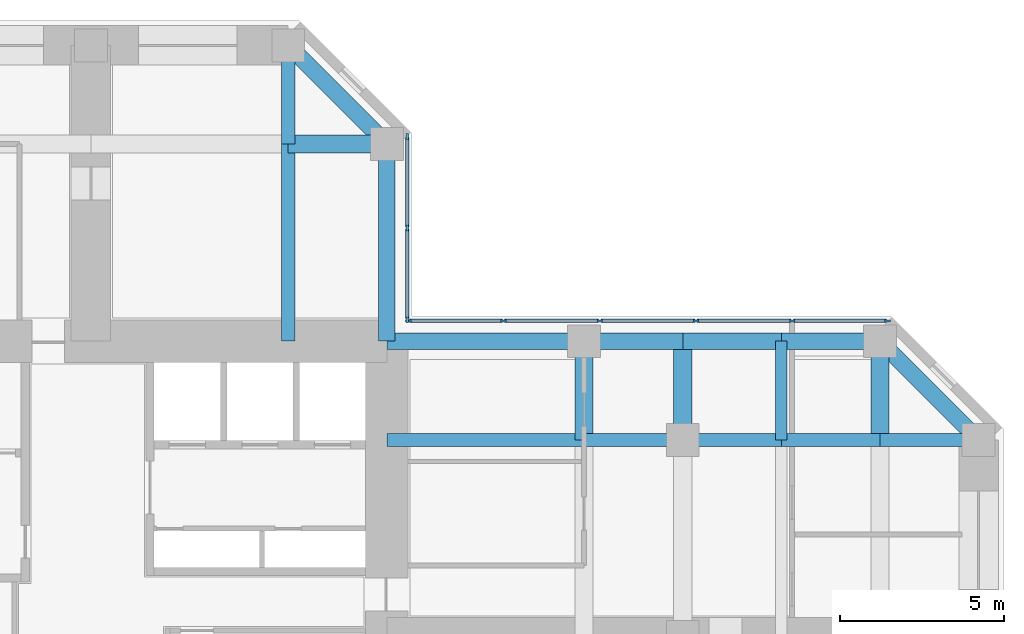
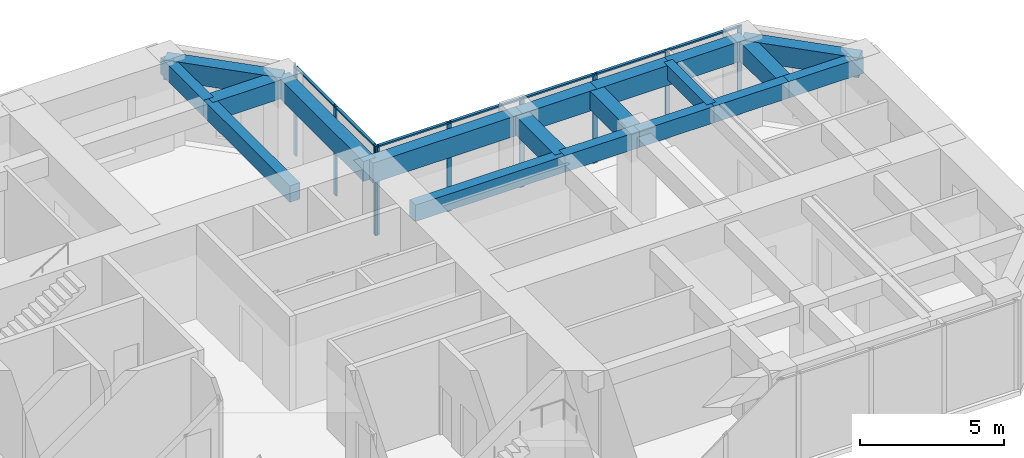
# One storey, part 6 of 13: 19 beams, 16 members, 2 elements without a shape of their own.
"""IFC4 building model written with IfcOpenShell, lengths in metres."""

from ifc_helpers import new_model, si_unit, direction, frame, origin, origin_2d, place, context, subcontext, project, spatial, rectangle, extrude, material, material_profile, profile_set, type_object, element, aggregate, save


model = new_model("IFC4")

# Units and contexts
model_context = context("Model", 3, precision=1e-05, world=origin(), true_north=direction((0.0, 1.0)))
body_context = subcontext(model_context, "Body", "Model", "MODEL_VIEW")
ifc_project = project(units=[si_unit("LENGTHUNIT", "METRE"), si_unit("AREAUNIT", "SQUARE_METRE"), si_unit("VOLUMEUNIT", "CUBIC_METRE"), si_unit("PLANEANGLEUNIT", "RADIAN"), si_unit("MASSUNIT", "GRAM", prefix="KILO")], contexts=[model_context])

# Site, building, storey
site_placement = place(None, origin())
site = spatial("IfcSite", under=ifc_project, at=site_placement, CompositionType="ELEMENT")
building_placement = place(site_placement, origin())
building = spatial("IfcBuilding", under=site, at=building_placement, Name="Torre Cruceta", CompositionType="ELEMENT")
storey_placement = place(building_placement, frame((0.0, 0.0, 124.5)))
storey = spatial("IfcBuildingStorey", under=building, at=storey_placement, Name="L30", CompositionType="ELEMENT", Elevation=124.5)

# Beams
ifc_material_1 = material(Name="Concrete G60 (fck 60 MPa)", Category="concrete")
ifc_material_profile_1 = material_profile(ifc_material_1, rectangle(XDim=0.39990234375, YDim=0.699951171875, at=origin_2d()), Name="RC 400X700")
ifc_profile_set_1 = profile_set([ifc_material_profile_1], Name="Concrete G60 (fck 60 MPa)")
beam_type_1 = type_object("IfcBeamType", Name="COLUMN LINE BEAM RC 400X700", PredefinedType="BEAM", material=ifc_profile_set_1)
beam_1_placement = place(storey_placement, frame((6.0, 9.0, 3.449951171875), z_axis=(0.0, 1.0, 0.0), x_axis=(-1.0, 0.0, 0.0)))
element("IfcBeam", 1, at=beam_1_placement, inside=storey, type_object=beam_type_1, Name="LB5 L30 N col- 1", PredefinedType="BEAM", context=body_context, shape_type="SweptSolid", body=[
    extrude(rectangle(XDim=0.39990234375, YDim=0.699951171875, at=origin_2d()), origin(), (0.0, 0.0, 1.0), 6.0),
])
beam_2_placement = place(storey_placement, frame((6.0, 15.0, 3.449951171875), z_axis=(0.0, 1.0, 0.0), x_axis=(-1.0, 0.0, 0.0)))
element("IfcBeam", 2, at=beam_2_placement, inside=storey, type_object=beam_type_1, Name="LB5 L30 N col- 2", PredefinedType="BEAM", context=body_context, shape_type="SweptSolid", body=[
    extrude(rectangle(XDim=0.39990234375, YDim=0.699951171875, at=origin_2d()), origin(), (0.0, 0.0, 1.0), 3.0),
])
beam_3_placement = place(storey_placement, frame((9.0, 6.0, 3.449951171875), z_axis=(1.0, 0.0, 0.0), x_axis=(0.0, 1.0, 0.0)))
element("IfcBeam", 3, at=beam_3_placement, inside=storey, type_object=beam_type_1, Name="LB5 L30 E col+ 1", PredefinedType="BEAM", context=body_context, shape_type="SweptSolid", body=[
    extrude(rectangle(XDim=0.39990234375, YDim=0.699951171875, at=origin_2d()), origin(), (0.0, 0.0, 1.0), 6.0),
])
for number, where, z_axis, x_axis, name in (
    (4, (15.0, 6.0, 3.449951171875), (1.0, 0.0, 0.0), (0.0, 1.0, 0.0), "LB5 L30 E col+ 2"),
    (5, (18.0, 6.0, 3.449951171875), (1.0, 0.0, 0.0), (0.0, 1.0, 0.0), "LB5 L30 E col+ 3"),
    (6, (21.0, 6.0, 3.449951171875), (1.0, 0.0, 0.0), (0.0, 1.0, 0.0), "LB5 L30 E col+ 4"),
    (7, (24.0, 6.0, 3.449951171875), (1.0, 0.0, 0.0), (0.0, 1.0, 0.0), "LB5 L30 E col+ 5"),
):
    element("IfcBeam", number, at=place(storey_placement, frame(where, z_axis=z_axis, x_axis=x_axis)), inside=storey, type_object=beam_type_1, Name=name, PredefinedType="BEAM", context=body_context, shape_type="SweptSolid", body=[
        extrude(rectangle(XDim=0.39990234375, YDim=0.699951171875, at=origin_2d()), origin(), (0.0, 0.0, 1.0), 3.0),
    ])
ifc_material_2 = material(Name="Concrete G60 (fck 60 MPa)", Category="concrete")
ifc_material_profile_2 = material_profile(ifc_material_2, rectangle(XDim=0.550048828125, YDim=0.800048828125, at=origin_2d()), Name="RC 550X800")
ifc_profile_set_2 = profile_set([ifc_material_profile_2], Name="Concrete G60 (fck 60 MPa)")
beam_type_2 = type_object("IfcBeamType", Name="CROSS BEAM RC 550X800", PredefinedType="BEAM", material=ifc_profile_set_2)
for number, where, z_axis, x_axis, name in (
    (8, (9.0, 15.0, 3.39990234375), (-1.0, 0.0, 0.0), (0.0, -1.0, 0.0), "GB5 L30 N cross15 1"),
    (9, (15.0, 6.0, 3.39990234375), (0.0, 1.0, 0.0), (-1.0, 0.0, 0.0), "GB5 L30 E cross15 4"),
    (10, (18.0, 6.0, 3.39990234375), (0.0, 1.0, 0.0), (-1.0, 0.0, 0.0), "GB5 L30 E cross18 4"),
    (11, (24.0, 6.0, 3.39990234375), (0.0, 1.0, 0.0), (-1.0, 0.0, 0.0), "GB5 L30 E cross24 4"),
):
    element("IfcBeam", number, at=place(storey_placement, frame(where, z_axis=z_axis, x_axis=x_axis)), inside=storey, type_object=beam_type_2, Name=name, PredefinedType="BEAM", context=body_context, shape_type="SweptSolid", body=[
        extrude(rectangle(XDim=0.550048828125, YDim=0.800048828125, at=origin_2d()), origin(), (0.0, 0.0, 1.0), 3.0),
    ])

# Curtain wall, members
ifc_material_3 = material(Name="Aluminium unitised curtain wall", Category="aluminium")
curtain_wall_type = type_object("IfcCurtainWallType", Name="CURTAIN WALL CW-B OFFICE MID RISE", PredefinedType="USERDEFINED", material=ifc_material_3)
curtain_wall_1_placement = place(storey_placement, origin())
curtain_wall_1 = element("IfcCurtainWall", 12, at=curtain_wall_1_placement, inside=storey, type_object=curtain_wall_type, Name="CW-B L30 E side 04", ObjectType="UNITISED", PredefinedType="USERDEFINED")
ifc_material_4 = material(Name="Aluminium mullion", Category="aluminium")
ifc_material_profile_3 = material_profile(ifc_material_4, rectangle(XDim=0.06494140625, YDim=0.179931640625, at=origin_2d()), Name="AL 65X180")
ifc_profile_set_3 = profile_set([ifc_material_profile_3], Name="Aluminium mullion")
member_type_1 = type_object("IfcMemberType", Name="CW-B MULLION 65X180", PredefinedType="MULLION", material=ifc_profile_set_3)
member_1_placement = place(storey_placement, frame((24.224365234375, 9.6201171875, 0.0), z_axis=(0.0, 0.0, 1.0), x_axis=(0.0, -1.0, 0.0)))
member_1 = element("IfcMember", 13, at=member_1_placement, type_object=member_type_1, Name="CW-B mullion 1", PredefinedType="MULLION", context=body_context, shape_type="SweptSolid", body=[
    extrude(rectangle(XDim=0.06494140625, YDim=0.179931640625, at=origin_2d()), origin(), (0.0, 0.0, 1.0), 3.800048828125),
])
member_2_placement = place(storey_placement, frame((21.329345703125, 9.6201171875, 0.0), z_axis=(0.0, 0.0, 1.0), x_axis=(0.0, -1.0, 0.0)))
member_2 = element("IfcMember", 14, at=member_2_placement, type_object=member_type_1, Name="CW-B mullion 2", PredefinedType="MULLION", context=body_context, shape_type="SweptSolid", body=[
    extrude(rectangle(XDim=0.06494140625, YDim=0.179931640625, at=origin_2d()), origin(), (0.0, 0.0, 1.0), 3.800048828125),
])
member_3_placement = place(storey_placement, frame((18.402099609375, 9.6201171875, 0.0), z_axis=(0.0, 0.0, 1.0), x_axis=(0.0, -1.0, 0.0)))
member_3 = element("IfcMember", 15, at=member_3_placement, type_object=member_type_1, Name="CW-B mullion 3", PredefinedType="MULLION", context=body_context, shape_type="SweptSolid", body=[
    extrude(rectangle(XDim=0.06494140625, YDim=0.179931640625, at=origin_2d()), origin(), (0.0, 0.0, 1.0), 3.800048828125),
])
member_4_placement = place(storey_placement, frame((15.474609375, 9.6201171875, 0.0), z_axis=(0.0, 0.0, 1.0), x_axis=(0.0, -1.0, 0.0)))
member_4 = element("IfcMember", 16, at=member_4_placement, type_object=member_type_1, Name="CW-B mullion 4", PredefinedType="MULLION", context=body_context, shape_type="SweptSolid", body=[
    extrude(rectangle(XDim=0.06494140625, YDim=0.179931640625, at=origin_2d()), origin(), (0.0, 0.0, 1.0), 3.800048828125),
])
member_5_placement = place(storey_placement, frame((12.54736328125, 9.6201171875, 0.0), z_axis=(0.0, 0.0, 1.0), x_axis=(0.0, -1.0, 0.0)))
member_5 = element("IfcMember", 17, at=member_5_placement, type_object=member_type_1, Name="CW-B mullion 5", PredefinedType="MULLION", context=body_context, shape_type="SweptSolid", body=[
    extrude(rectangle(XDim=0.06494140625, YDim=0.179931640625, at=origin_2d()), origin(), (0.0, 0.0, 1.0), 3.800048828125),
])
member_6_placement = place(storey_placement, frame((9.652587890625, 9.6201171875, 0.0), z_axis=(0.0, 0.0, 1.0), x_axis=(0.0, -1.0, 0.0)))
member_6 = element("IfcMember", 18, at=member_6_placement, type_object=member_type_1, Name="CW-B mullion 6", PredefinedType="MULLION", context=body_context, shape_type="SweptSolid", body=[
    extrude(rectangle(XDim=0.06494140625, YDim=0.179931640625, at=origin_2d()), origin(), (0.0, 0.0, 1.0), 3.800048828125),
])

curtain_wall_2_placement = place(storey_placement, origin())
curtain_wall_2 = element("IfcCurtainWall", 19, at=curtain_wall_2_placement, inside=storey, type_object=curtain_wall_type, Name="CW-B L30 N side 05", ObjectType="UNITISED", PredefinedType="USERDEFINED")
member_7_placement = place(storey_placement, frame((9.6201171875, 9.652587890625, 0.0), z_axis=(0.0, 0.0, 1.0), x_axis=(-1.0, 0.0, 0.0)))
member_7 = element("IfcMember", 20, at=member_7_placement, type_object=member_type_1, Name="CW-B mullion 1", PredefinedType="MULLION", context=body_context, shape_type="SweptSolid", body=[
    extrude(rectangle(XDim=0.06494140625, YDim=0.179931640625, at=origin_2d()), origin(), (0.0, 0.0, 1.0), 3.800048828125),
])
member_8_placement = place(storey_placement, frame((9.6201171875, 12.4384765625, 0.0), z_axis=(0.0, 0.0, 1.0), x_axis=(-1.0, 0.0, 0.0)))
member_8 = element("IfcMember", 21, at=member_8_placement, type_object=member_type_1, Name="CW-B mullion 2", PredefinedType="MULLION", context=body_context, shape_type="SweptSolid", body=[
    extrude(rectangle(XDim=0.06494140625, YDim=0.179931640625, at=origin_2d()), origin(), (0.0, 0.0, 1.0), 3.800048828125),
])
member_9_placement = place(storey_placement, frame((9.6201171875, 15.224365234375, 0.0), z_axis=(0.0, 0.0, 1.0), x_axis=(-1.0, 0.0, 0.0)))
member_9 = element("IfcMember", 22, at=member_9_placement, type_object=member_type_1, Name="CW-B mullion 3", PredefinedType="MULLION", context=body_context, shape_type="SweptSolid", body=[
    extrude(rectangle(XDim=0.06494140625, YDim=0.179931640625, at=origin_2d()), origin(), (0.0, 0.0, 1.0), 3.800048828125),
])

# Member
ifc_material_5 = material(Name="Aluminium transom", Category="aluminium")
ifc_material_profile_4 = material_profile(ifc_material_5, rectangle(XDim=0.110107421875, YDim=0.06494140625, at=origin_2d()), Name="AL 110X65")
ifc_profile_set_4 = profile_set([ifc_material_profile_4], Name="Aluminium transom")
member_type_2 = type_object("IfcMemberType", Name="CW-B TRANSOM 65X110", PredefinedType="USERDEFINED", material=ifc_profile_set_4)
member_10_placement = place(storey_placement, frame((24.19189453125, 9.6201171875, 3.767578125), z_axis=(-1.0, 0.0, 0.0), x_axis=(0.0, -1.0, 0.0)))
member_10 = element("IfcMember", 23, at=member_10_placement, type_object=member_type_2, Name="CW-B transom 1", ObjectType="TRANSOM", PredefinedType="USERDEFINED", context=body_context, shape_type="SweptSolid", body=[
    extrude(rectangle(XDim=0.110107421875, YDim=0.06494140625, at=origin_2d()), origin(), (0.0, 0.0, 1.0), 2.829833984375),
])

member_11_placement = place(storey_placement, frame((21.296875, 9.6201171875, 3.767578125), z_axis=(-1.0, 0.0, 0.0), x_axis=(0.0, -1.0, 0.0)))
member_11 = element("IfcMember", 24, at=member_11_placement, type_object=member_type_2, Name="CW-B transom 2", ObjectType="TRANSOM", PredefinedType="USERDEFINED", context=body_context, shape_type="SweptSolid", body=[
    extrude(rectangle(XDim=0.110107421875, YDim=0.06494140625, at=origin_2d()), origin(), (0.0, 0.0, 1.0), 2.8623046875),
])

member_12_placement = place(storey_placement, frame((18.36962890625, 9.6201171875, 3.767578125), z_axis=(-1.0, 0.0, 0.0), x_axis=(0.0, -1.0, 0.0)))
member_12 = element("IfcMember", 25, at=member_12_placement, type_object=member_type_2, Name="CW-B transom 3", ObjectType="TRANSOM", PredefinedType="USERDEFINED", context=body_context, shape_type="SweptSolid", body=[
    extrude(rectangle(XDim=0.110107421875, YDim=0.06494140625, at=origin_2d()), origin(), (0.0, 0.0, 1.0), 2.8623046875),
])

member_13_placement = place(storey_placement, frame((15.442138671875, 9.6201171875, 3.767578125), z_axis=(-1.0, 0.0, 0.0), x_axis=(0.0, -1.0, 0.0)))
member_13 = element("IfcMember", 26, at=member_13_placement, type_object=member_type_2, Name="CW-B transom 4", ObjectType="TRANSOM", PredefinedType="USERDEFINED", context=body_context, shape_type="SweptSolid", body=[
    extrude(rectangle(XDim=0.110107421875, YDim=0.06494140625, at=origin_2d()), origin(), (0.0, 0.0, 1.0), 2.8623046875),
])

member_14_placement = place(storey_placement, frame((12.514892578125, 9.6201171875, 3.767578125), z_axis=(-1.0, 0.0, 0.0), x_axis=(0.0, -1.0, 0.0)))
member_14 = element("IfcMember", 27, at=member_14_placement, type_object=member_type_2, Name="CW-B transom 5", ObjectType="TRANSOM", PredefinedType="USERDEFINED", context=body_context, shape_type="SweptSolid", body=[
    extrude(rectangle(XDim=0.110107421875, YDim=0.06494140625, at=origin_2d()), origin(), (0.0, 0.0, 1.0), 2.829833984375),
])

aggregate(curtain_wall_1, [member_1, member_2, member_3, member_4, member_5, member_6, member_10, member_11, member_12, member_13, member_14])

member_15_placement = place(storey_placement, frame((9.6201171875, 9.68505859375, 3.767578125), z_axis=(0.0, 1.0, 0.0), x_axis=(-1.0, 0.0, 0.0)))
member_15 = element("IfcMember", 28, at=member_15_placement, type_object=member_type_2, Name="CW-B transom 1", ObjectType="TRANSOM", PredefinedType="USERDEFINED", context=body_context, shape_type="SweptSolid", body=[
    extrude(rectangle(XDim=0.110107421875, YDim=0.06494140625, at=origin_2d()), origin(), (0.0, 0.0, 1.0), 2.720947265625),
])

member_16_placement = place(storey_placement, frame((9.6201171875, 12.470947265625, 3.767578125), z_axis=(0.0, 1.0, 0.0), x_axis=(-1.0, 0.0, 0.0)))
member_16 = element("IfcMember", 29, at=member_16_placement, type_object=member_type_2, Name="CW-B transom 2", ObjectType="TRANSOM", PredefinedType="USERDEFINED", context=body_context, shape_type="SweptSolid", body=[
    extrude(rectangle(XDim=0.110107421875, YDim=0.06494140625, at=origin_2d()), origin(), (0.0, 0.0, 1.0), 2.720947265625),
])

aggregate(curtain_wall_2, [member_7, member_8, member_9, member_15, member_16])

# Beams
ifc_material_6 = material(Name="Concrete G60 (fck 60 MPa)", Category="concrete")
ifc_material_profile_5 = material_profile(ifc_material_6, rectangle(XDim=0.35009765625, YDim=0.60009765625, at=origin_2d()), Name="RC 350X600")
ifc_profile_set_5 = profile_set([ifc_material_profile_5], Name="Concrete G60 (fck 60 MPa)")
beam_type_3 = type_object("IfcBeamType", Name="SECONDARY BEAM RC 350X600", PredefinedType="JOIST", material=ifc_profile_set_5)
beam_4_placement = place(storey_placement, frame((21.0, 6.0, 3.5), z_axis=(0.0, 1.0, 0.0), x_axis=(-1.0, 0.0, 0.0)))
element("IfcBeam", 30, at=beam_4_placement, inside=storey, type_object=beam_type_3, Name="JB5 L30 E sec21 4", PredefinedType="JOIST", context=body_context, shape_type="SweptSolid", body=[
    extrude(rectangle(XDim=0.35009765625, YDim=0.60009765625, at=origin_2d()), origin(), (0.0, 0.0, 1.0), 3.0),
])
ifc_material_7 = material(Name="Concrete G60 (fck 60 MPa)", Category="concrete")
ifc_material_profile_6 = material_profile(ifc_material_7, rectangle(XDim=0.5, YDim=0.85009765625, at=origin_2d()), Name="RC 500X850")
ifc_profile_set_6 = profile_set([ifc_material_profile_6], Name="Concrete G60 (fck 60 MPa)")
beam_type_4 = type_object("IfcBeamType", Name="SPANDREL BEAM RC 500X850", PredefinedType="SPANDREL", material=ifc_profile_set_6)
beam_5_placement = place(storey_placement, frame((9.0, 9.0, 3.375), z_axis=(0.0, 1.0, 0.0), x_axis=(-1.0, 0.0, 0.0)))
element("IfcBeam", 31, at=beam_5_placement, inside=storey, type_object=beam_type_4, Name="SB5 L30 N side- 1", PredefinedType="SPANDREL", context=body_context, shape_type="SweptSolid", body=[
    extrude(rectangle(XDim=0.5, YDim=0.85009765625, at=origin_2d()), origin(), (0.0, 0.0, 1.0), 6.0),
])
beam_6_placement = place(storey_placement, frame((9.0, 15.0, 3.375), z_axis=(-0.707106781187, 0.707106781187, 0.0), x_axis=(-0.707106781187, -0.707106781187, 0.0)))
element("IfcBeam", 32, at=beam_6_placement, inside=storey, type_object=beam_type_4, Name="SB5 L30 N side- 2", PredefinedType="SPANDREL", context=body_context, shape_type="SweptSolid", body=[
    extrude(rectangle(XDim=0.5, YDim=0.85009765625, at=origin_2d()), origin(), (0.0, 0.0, 1.0), 4.24267578125),
])
beam_7_placement = place(storey_placement, frame((9.0, 9.0, 3.375), z_axis=(1.0, 0.0, 0.0), x_axis=(0.0, 1.0, 0.0)))
element("IfcBeam", 33, at=beam_7_placement, inside=storey, type_object=beam_type_4, Name="SB5 L30 E side+ 1", PredefinedType="SPANDREL", context=body_context, shape_type="SweptSolid", body=[
    extrude(rectangle(XDim=0.5, YDim=0.85009765625, at=origin_2d()), origin(), (0.0, 0.0, 1.0), 6.0),
])
for number, where, z_axis, x_axis, name in (
    (34, (15.0, 9.0, 3.375), (1.0, 0.0, 0.0), (0.0, 1.0, 0.0), "SB5 L30 E side+ 2"),
    (35, (18.0, 9.0, 3.375), (1.0, 0.0, 0.0), (0.0, 1.0, 0.0), "SB5 L30 E side+ 3"),
    (36, (21.0, 9.0, 3.375), (1.0, 0.0, 0.0), (0.0, 1.0, 0.0), "SB5 L30 E side+ 4"),
):
    element("IfcBeam", number, at=place(storey_placement, frame(where, z_axis=z_axis, x_axis=x_axis)), inside=storey, type_object=beam_type_4, Name=name, PredefinedType="SPANDREL", context=body_context, shape_type="SweptSolid", body=[
        extrude(rectangle(XDim=0.5, YDim=0.85009765625, at=origin_2d()), origin(), (0.0, 0.0, 1.0), 3.0),
    ])
beam_8_placement = place(storey_placement, frame((24.0, 9.0, 3.375), z_axis=(0.707106781187, -0.707106781187, 0.0), x_axis=(0.707106781187, 0.707106781187, 0.0)))
element("IfcBeam", 37, at=beam_8_placement, inside=storey, type_object=beam_type_4, Name="SB5 L30 E side+ 5", PredefinedType="SPANDREL", context=body_context, shape_type="SweptSolid", body=[
    extrude(rectangle(XDim=0.5, YDim=0.85009765625, at=origin_2d()), origin(), (0.0, 0.0, 1.0), 4.24267578125),
])

save(model, "model.ifc")
